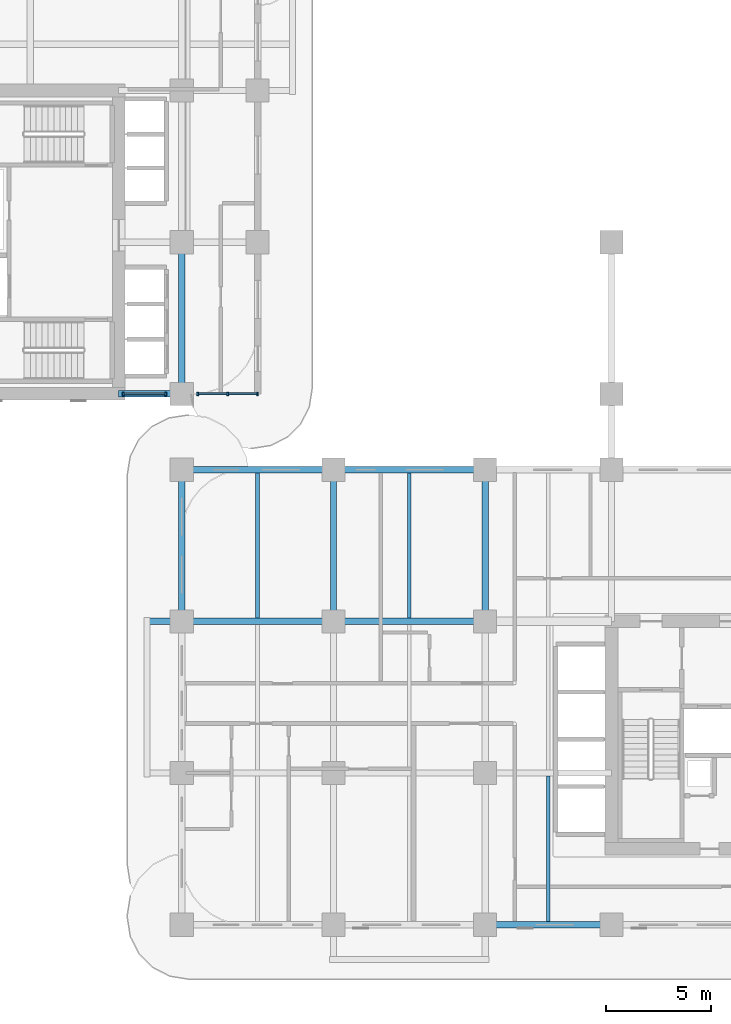
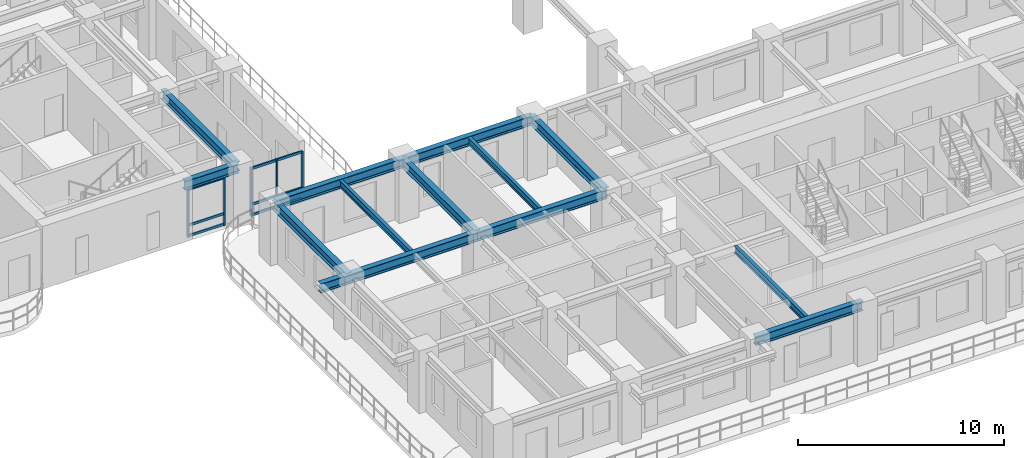
# One storey, part 2 of 19: 14 members, 13 beams, 2 elements without a shape of their own.
"""IFC4 building model written with IfcOpenShell, lengths in metres."""

from ifc_helpers import new_model, si_unit, derived_unit, direction, frame, origin, origin_2d, place, context, subcontext, project, spatial, rectangle, i_section, extrude, source, transform, mapped, material, layer, layer_set, material_profile, profile_set, type_object, type_shapes, element, aggregate, save


model = new_model("IFC4")

# Units and contexts
model_context = context("Model", 3, precision=1e-05, world=origin(), true_north=direction((0.0, 1.0)))
body_context = subcontext(model_context, "Body", "Model", "MODEL_VIEW")
ifc_project = project(units=[si_unit("LENGTHUNIT", "METRE"), si_unit("AREAUNIT", "SQUARE_METRE"), si_unit("VOLUMEUNIT", "CUBIC_METRE"), si_unit("PLANEANGLEUNIT", "RADIAN"), si_unit("MASSUNIT", "GRAM", prefix="KILO"), si_unit("THERMODYNAMICTEMPERATUREUNIT", "KELVIN"), si_unit("POWERUNIT", "WATT"), derived_unit("THERMALTRANSMITTANCEUNIT", [(si_unit("POWERUNIT", "WATT"), 1), (si_unit("AREAUNIT", "SQUARE_METRE"), -1), (si_unit("THERMODYNAMICTEMPERATUREUNIT", "KELVIN"), -1)])], contexts=[model_context])

# Site, building, storey
site_placement = place(None, origin())
site = spatial("IfcSite", under=ifc_project, at=site_placement, CompositionType="ELEMENT")
building_placement = place(site_placement, origin())
building = spatial("IfcBuilding", under=site, at=building_placement, Name="Zahravan Archway Hotel and Residences", CompositionType="ELEMENT")
storey_placement = place(building_placement, frame((0.0, 0.0, 62.0)))
storey = spatial("IfcBuildingStorey", under=building, at=storey_placement, Name="L14", CompositionType="ELEMENT", Elevation=62.0)

# Beams
ifc_material_1 = material(Name="Structural Steel S355JR", Category="steel")
ifc_material_profile_1 = material_profile(ifc_material_1, i_section(OverallWidth=0.300048828125, OverallDepth=0.550048828125, WebThickness=0.014892578125, FlangeThickness=0.029052734375, FilletRadius=0.027099609375, at=origin_2d()), Name="HEB 550", Category="steel")
ifc_profile_set_1 = profile_set([ifc_material_profile_1], Name="Structural Steel S355JR")
beam_type_1 = type_object("IfcBeamType", Name="BM-PRI-HEB550", PredefinedType="BEAM", material=ifc_profile_set_1)
shared_shape_1 = source(origin(), body_context, "Body", "SweptSolid", [
    extrude(i_section(OverallWidth=0.300048828125, OverallDepth=0.550048828125, WebThickness=0.014892578125, FlangeThickness=0.029052734375, FilletRadius=0.027099609375, at=origin_2d()), origin(), (0.0, 0.0, 1.0), 7.2001953125),
])
type_shapes(beam_type_1, [shared_shape_1])
for number, where, z_axis, x_axis, name in (
    (1, (14.39990234375, 21.60009765625, 3.175048828125), (1.0, 0.0, 0.0), (0.0, 1.0, 0.0), "L14 Primary Girder EW-14"),
    (2, (14.39990234375, 14.39990234375, 3.175048828125), (0.0, 1.0, 0.0), (-1.0, 0.0, 0.0), "L14 Primary Girder NS-33"),
    (3, (21.60009765625, 14.39990234375, 3.175048828125), (0.0, 1.0, 0.0), (-1.0, 0.0, 0.0), "L14 Primary Girder NS-39"),
    (4, (28.800048828125, 14.39990234375, 3.175048828125), (0.0, 1.0, 0.0), (-1.0, 0.0, 0.0), "L14 Primary Girder NS-42"),
):
    element("IfcBeam", number, at=place(storey_placement, frame(where, z_axis=z_axis, x_axis=x_axis)), inside=storey, type_object=beam_type_1, Name=name, PredefinedType="BEAM", context=body_context, shape_type="MappedRepresentation", body=[
        mapped(shared_shape_1, transform((0.0, 0.0, 0.0), scale=1.0)),
    ])
shared_shape_2 = source(origin(), body_context, "Body", "SweptSolid", [
    extrude(i_section(OverallWidth=0.300048828125, OverallDepth=0.550048828125, WebThickness=0.014892578125, FlangeThickness=0.029052734375, FilletRadius=0.027099609375, at=origin_2d()), origin(), (0.0, 0.0, 1.0), 7.199951171875),
])
for number, where, z_axis, x_axis, name in (
    (5, (21.60009765625, 14.39990234375, 3.175048828125), (1.0, 0.0, 0.0), (0.0, 1.0, 0.0), "L14 Primary Girder EW-12"),
    (6, (21.60009765625, 21.60009765625, 3.175048828125), (1.0, 0.0, 0.0), (0.0, 1.0, 0.0), "L14 Primary Girder EW-15"),
    (7, (14.39990234375, 25.199951171875, 3.175048828125), (0.0, 1.0, 0.0), (-1.0, 0.0, 0.0), "L14 Primary Girder NS-34"),
):
    element("IfcBeam", number, at=place(storey_placement, frame(where, z_axis=z_axis, x_axis=x_axis)), inside=storey, type_object=beam_type_1, Name=name, PredefinedType="BEAM", context=body_context, shape_type="MappedRepresentation", body=[
        mapped(shared_shape_2, transform((0.0, 0.0, 0.0), scale=1.0)),
    ])
shared_shape_3 = source(origin(), body_context, "Body", "SweptSolid", [
    extrude(i_section(OverallWidth=0.300048828125, OverallDepth=0.550048828125, WebThickness=0.014892578125, FlangeThickness=0.029052734375, FilletRadius=0.027099609375, at=origin_2d()), origin(), (0.0, 0.0, 1.0), 6.0),
])
beam_1_placement = place(storey_placement, frame((28.800048828125, 0.0, 3.175048828125), z_axis=(1.0, 0.0, 0.0), x_axis=(0.0, 1.0, 0.0)))
element("IfcBeam", 8, at=beam_1_placement, inside=storey, type_object=beam_type_1, Name="L14 Primary Girder EW-03", PredefinedType="BEAM", context=body_context, shape_type="MappedRepresentation", body=[
    mapped(shared_shape_3, transform((0.0, 0.0, 0.0), scale=1.0)),
])
shared_shape_4 = source(origin(), body_context, "Body", "SweptSolid", [
    extrude(i_section(OverallWidth=0.300048828125, OverallDepth=0.550048828125, WebThickness=0.014892578125, FlangeThickness=0.029052734375, FilletRadius=0.027099609375, at=origin_2d()), origin(), (0.0, 0.0, 1.0), 8.85009765625),
])
beam_2_placement = place(storey_placement, frame((12.75, 14.39990234375, 3.175048828125), z_axis=(1.0, 0.0, 0.0), x_axis=(0.0, 1.0, 0.0)))
element("IfcBeam", 9, at=beam_2_placement, inside=storey, type_object=beam_type_1, Name="L14 Primary Girder EW-11", PredefinedType="BEAM", context=body_context, shape_type="MappedRepresentation", body=[
    mapped(shared_shape_4, transform((0.0, 0.0, 0.0), scale=1.0)),
])
shared_shape_5 = source(origin(), body_context, "Body", "SweptSolid", [
    extrude(i_section(OverallWidth=0.300048828125, OverallDepth=0.550048828125, WebThickness=0.014892578125, FlangeThickness=0.029052734375, FilletRadius=0.027099609375, at=origin_2d()), origin(), (0.0, 0.0, 1.0), 3.0),
])
beam_3_placement = place(storey_placement, frame((11.39990234375, 25.199951171875, 3.175048828125), z_axis=(1.0, 0.0, 0.0), x_axis=(0.0, 1.0, 0.0)))
element("IfcBeam", 10, at=beam_3_placement, inside=storey, type_object=beam_type_1, Name="L14 Primary Girder EW-20", PredefinedType="BEAM", context=body_context, shape_type="MappedRepresentation", body=[
    mapped(shared_shape_5, transform((0.0, 0.0, 0.0), scale=1.0)),
])
ifc_material_profile_2 = material_profile(ifc_material_1, i_section(OverallWidth=0.179931640625, OverallDepth=0.39990234375, WebThickness=0.008544921875, FlangeThickness=0.013427734375, FilletRadius=0.02099609375, at=origin_2d()), Name="IPE 400", Category="steel")
ifc_profile_set_2 = profile_set([ifc_material_profile_2], Name="Structural Steel S355JR")
beam_type_2 = type_object("IfcBeamType", Name="BM-JST-IPE400", PredefinedType="JOIST", material=ifc_profile_set_2)
shared_shape_6 = source(origin(), body_context, "Body", "SweptSolid", [
    extrude(i_section(OverallWidth=0.179931640625, OverallDepth=0.39990234375, WebThickness=0.008544921875, FlangeThickness=0.013427734375, FilletRadius=0.02099609375, at=origin_2d()), origin(), (0.0, 0.0, 1.0), 6.904052734375),
])
type_shapes(beam_type_2, [shared_shape_6])
beam_4_placement = place(storey_placement, frame((31.800048828125, 0.14794921875, 3.25), z_axis=(0.0, 1.0, 0.0), x_axis=(-1.0, 0.0, 0.0)))
element("IfcBeam", 11, at=beam_4_placement, inside=storey, type_object=beam_type_2, Name="L14 Composite Floor Joist 03", PredefinedType="JOIST", context=body_context, shape_type="MappedRepresentation", body=[
    mapped(shared_shape_6, transform((0.0, 0.0, 0.0), scale=1.0)),
])
shared_shape_7 = source(origin(), body_context, "Body", "SweptSolid", [
    extrude(i_section(OverallWidth=0.179931640625, OverallDepth=0.39990234375, WebThickness=0.008544921875, FlangeThickness=0.013427734375, FilletRadius=0.02099609375, at=origin_2d()), origin(), (0.0, 0.0, 1.0), 6.90380859375),
])
for number, where, z_axis, x_axis, name in (
    (12, (18.0, 14.548095703125, 3.25), (0.0, 1.0, 0.0), (-1.0, 0.0, 0.0), "L14 Composite Floor Joist 10"),
    (13, (25.199951171875, 14.548095703125, 3.25), (0.0, 1.0, 0.0), (-1.0, 0.0, 0.0), "L14 Composite Floor Joist 11"),
):
    element("IfcBeam", number, at=place(storey_placement, frame(where, z_axis=z_axis, x_axis=x_axis)), inside=storey, type_object=beam_type_2, Name=name, PredefinedType="JOIST", context=body_context, shape_type="MappedRepresentation", body=[
        mapped(shared_shape_7, transform((0.0, 0.0, 0.0), scale=1.0)),
    ])

# Curtain wall, members
ifc_material_2 = material(Name="Bronze-Anodized Unitised Aluminium & Low-E Glass", Category="aluminium")
ifc_layer = layer(ifc_material_2, 0.179931640625, Name="Bronze-Anodized Unitised Aluminium & Low-E Glass", Category="aluminium")
ifc_layer_set = layer_set([ifc_layer], Name="Bronze-Anodized Unitised Aluminium & Low-E Glass")
curtain_wall_type = type_object("IfcCurtainWallType", Name="CW-TWR-FEAT", PredefinedType="NOTDEFINED", material=ifc_layer_set)
curtain_wall_1_placement = place(storey_placement, origin())
curtain_wall_1 = element("IfcCurtainWall", 14, at=curtain_wall_1_placement, inside=storey, type_object=curtain_wall_type, Name="L14 Curtain Wall CW-L14-WB-SE-2", PredefinedType="NOTDEFINED")
ifc_material_3 = material(Name="Bronze-Anodized Extruded Aluminium", Category="aluminium")
ifc_material_profile_3 = material_profile(ifc_material_3, rectangle(XDim=0.080078125, YDim=0.139892578125, at=origin_2d()), Name="TRN 80x140", Category="aluminium")
ifc_profile_set_3 = profile_set([ifc_material_profile_3], Name="Bronze-Anodized Extruded Aluminium")
member_type_1 = type_object("IfcMemberType", Name="CWM-TRN-140", PredefinedType="USERDEFINED", material=ifc_profile_set_3)
shared_shape_8 = source(origin(), body_context, "Body", "SweptSolid", [
    extrude(rectangle(XDim=0.080078125, YDim=0.139892578125, at=origin_2d()), origin(), (0.0, 0.0, 1.0), 1.33984375),
])
member_1_placement = place(storey_placement, frame((16.6201171875, 25.199951171875, 0.070068359375), z_axis=(1.0, 0.0, 0.0), x_axis=(0.0, 1.0, 0.0)))
member_1 = element("IfcMember", 15, at=member_1_placement, type_object=member_type_1, Name="CW-L14-WB-SE-2 Transom 1-1", ObjectType="TRANSOM", PredefinedType="USERDEFINED", context=body_context, shape_type="MappedRepresentation", body=[
    mapped(shared_shape_8, transform((0.0, 0.0, 0.0), scale=1.0)),
])
member_2_placement = place(storey_placement, frame((16.6201171875, 25.199951171875, 0.6923828125), z_axis=(1.0, 0.0, 0.0), x_axis=(0.0, 1.0, 0.0)))
member_2 = element("IfcMember", 16, at=member_2_placement, type_object=member_type_1, Name="CW-L14-WB-SE-2 Transom 1-2", ObjectType="TRANSOM", PredefinedType="USERDEFINED", context=body_context, shape_type="MappedRepresentation", body=[
    mapped(shared_shape_8, transform((0.0, 0.0, 0.0), scale=1.0)),
])
member_3_placement = place(storey_placement, frame((16.6201171875, 25.199951171875, 2.81494140625), z_axis=(1.0, 0.0, 0.0), x_axis=(0.0, 1.0, 0.0)))
member_3 = element("IfcMember", 17, at=member_3_placement, type_object=member_type_1, Name="CW-L14-WB-SE-2 Transom 1-3", ObjectType="TRANSOM", PredefinedType="USERDEFINED", context=body_context, shape_type="MappedRepresentation", body=[
    mapped(shared_shape_8, transform((0.0, 0.0, 0.0), scale=1.0)),
])
shared_shape_9 = source(origin(), body_context, "Body", "SweptSolid", [
    extrude(rectangle(XDim=0.080078125, YDim=0.139892578125, at=origin_2d()), origin(), (0.0, 0.0, 1.0), 1.340087890625),
])
member_4_placement = place(storey_placement, frame((15.199951171875, 25.199951171875, 0.070068359375), z_axis=(1.0, 0.0, 0.0), x_axis=(0.0, 1.0, 0.0)))
member_4 = element("IfcMember", 18, at=member_4_placement, type_object=member_type_1, Name="CW-L14-WB-SE-2 Transom 0-1", ObjectType="TRANSOM", PredefinedType="USERDEFINED", context=body_context, shape_type="MappedRepresentation", body=[
    mapped(shared_shape_9, transform((0.0, 0.0, 0.0), scale=1.0)),
])
member_5_placement = place(storey_placement, frame((15.199951171875, 25.199951171875, 0.6923828125), z_axis=(1.0, 0.0, 0.0), x_axis=(0.0, 1.0, 0.0)))
member_5 = element("IfcMember", 19, at=member_5_placement, type_object=member_type_1, Name="CW-L14-WB-SE-2 Transom 0-2", ObjectType="TRANSOM", PredefinedType="USERDEFINED", context=body_context, shape_type="MappedRepresentation", body=[
    mapped(shared_shape_9, transform((0.0, 0.0, 0.0), scale=1.0)),
])
member_6_placement = place(storey_placement, frame((15.199951171875, 25.199951171875, 2.81494140625), z_axis=(1.0, 0.0, 0.0), x_axis=(0.0, 1.0, 0.0)))
member_6 = element("IfcMember", 20, at=member_6_placement, type_object=member_type_1, Name="CW-L14-WB-SE-2 Transom 0-3", ObjectType="TRANSOM", PredefinedType="USERDEFINED", context=body_context, shape_type="MappedRepresentation", body=[
    mapped(shared_shape_9, transform((0.0, 0.0, 0.0), scale=1.0)),
])

curtain_wall_2_placement = place(storey_placement, origin())
curtain_wall_2 = element("IfcCurtainWall", 21, at=curtain_wall_2_placement, inside=storey, type_object=curtain_wall_type, Name="L14 Curtain Wall CW-L14-WB-SE-1", PredefinedType="NOTDEFINED")
ifc_material_profile_4 = material_profile(ifc_material_3, rectangle(XDim=0.080078125, YDim=0.159912109375, at=origin_2d()), Name="MUL 80x160", Category="aluminium")
ifc_profile_set_4 = profile_set([ifc_material_profile_4], Name="Bronze-Anodized Extruded Aluminium")
member_type_2 = type_object("IfcMemberType", Name="CWM-MUL-160", PredefinedType="MULLION", material=ifc_profile_set_4)
shared_shape_10 = source(origin(), body_context, "Body", "SweptSolid", [
    extrude(rectangle(XDim=0.080078125, YDim=0.159912109375, at=origin_2d()), origin(), (0.0, 0.0, 1.0), 2.885009765625),
])
member_7_placement = place(storey_placement, frame((11.6201171875, 25.199951171875, 0.0), z_axis=(0.0, 0.0, 1.0), x_axis=(1.0, 0.0, 0.0)))
member_7 = element("IfcMember", 22, at=member_7_placement, type_object=member_type_2, Name="CW-L14-WB-SE-1 Mullion 0", PredefinedType="MULLION", context=body_context, shape_type="MappedRepresentation", body=[
    mapped(shared_shape_10, transform((0.0, 0.0, 0.0), scale=1.0)),
])
member_8_placement = place(storey_placement, frame((13.639892578125, 25.199951171875, 0.0), z_axis=(0.0, 0.0, 1.0), x_axis=(1.0, 0.0, 0.0)))
member_8 = element("IfcMember", 23, at=member_8_placement, type_object=member_type_2, Name="CW-L14-WB-SE-1 Mullion 1", PredefinedType="MULLION", context=body_context, shape_type="MappedRepresentation", body=[
    mapped(shared_shape_10, transform((0.0, 0.0, 0.0), scale=1.0)),
])

# Member
member_9_placement = place(storey_placement, frame((15.159912109375, 25.199951171875, 0.0), z_axis=(0.0, 0.0, 1.0), x_axis=(1.0, 0.0, 0.0)))
member_9 = element("IfcMember", 24, at=member_9_placement, type_object=member_type_2, Name="CW-L14-WB-SE-2 Mullion 0", PredefinedType="MULLION", context=body_context, shape_type="MappedRepresentation", body=[
    mapped(shared_shape_10, transform((0.0, 0.0, 0.0), scale=1.0)),
])

member_10_placement = place(storey_placement, frame((16.580078125, 25.199951171875, 0.0), z_axis=(0.0, 0.0, 1.0), x_axis=(1.0, 0.0, 0.0)))
member_10 = element("IfcMember", 25, at=member_10_placement, type_object=member_type_2, Name="CW-L14-WB-SE-2 Mullion 1", PredefinedType="MULLION", context=body_context, shape_type="MappedRepresentation", body=[
    mapped(shared_shape_10, transform((0.0, 0.0, 0.0), scale=1.0)),
])

member_11_placement = place(storey_placement, frame((18.0, 25.199951171875, 0.0), z_axis=(0.0, 0.0, 1.0), x_axis=(1.0, 0.0, 0.0)))
member_11 = element("IfcMember", 26, at=member_11_placement, type_object=member_type_2, Name="CW-L14-WB-SE-2 Mullion 2", PredefinedType="MULLION", context=body_context, shape_type="MappedRepresentation", body=[
    mapped(shared_shape_10, transform((0.0, 0.0, 0.0), scale=1.0)),
])

aggregate(curtain_wall_1, [member_9, member_10, member_11, member_4, member_5, member_6, member_1, member_2, member_3])

shared_shape_11 = source(origin(), body_context, "Body", "SweptSolid", [
    extrude(rectangle(XDim=0.080078125, YDim=0.139892578125, at=origin_2d()), origin(), (0.0, 0.0, 1.0), 1.940185546875),
])
member_12_placement = place(storey_placement, frame((11.659912109375, 25.199951171875, 0.070068359375), z_axis=(1.0, 0.0, 0.0), x_axis=(0.0, 1.0, 0.0)))
member_12 = element("IfcMember", 27, at=member_12_placement, type_object=member_type_1, Name="CW-L14-WB-SE-1 Transom 0-1", ObjectType="TRANSOM", PredefinedType="USERDEFINED", context=body_context, shape_type="MappedRepresentation", body=[
    mapped(shared_shape_11, transform((0.0, 0.0, 0.0), scale=1.0)),
])

member_13_placement = place(storey_placement, frame((11.659912109375, 25.199951171875, 0.6923828125), z_axis=(1.0, 0.0, 0.0), x_axis=(0.0, 1.0, 0.0)))
member_13 = element("IfcMember", 28, at=member_13_placement, type_object=member_type_1, Name="CW-L14-WB-SE-1 Transom 0-2", ObjectType="TRANSOM", PredefinedType="USERDEFINED", context=body_context, shape_type="MappedRepresentation", body=[
    mapped(shared_shape_11, transform((0.0, 0.0, 0.0), scale=1.0)),
])

member_14_placement = place(storey_placement, frame((11.659912109375, 25.199951171875, 2.81494140625), z_axis=(1.0, 0.0, 0.0), x_axis=(0.0, 1.0, 0.0)))
member_14 = element("IfcMember", 29, at=member_14_placement, type_object=member_type_1, Name="CW-L14-WB-SE-1 Transom 0-3", ObjectType="TRANSOM", PredefinedType="USERDEFINED", context=body_context, shape_type="MappedRepresentation", body=[
    mapped(shared_shape_11, transform((0.0, 0.0, 0.0), scale=1.0)),
])

aggregate(curtain_wall_2, [member_7, member_8, member_12, member_13, member_14])

save(model, "model.ifc")
